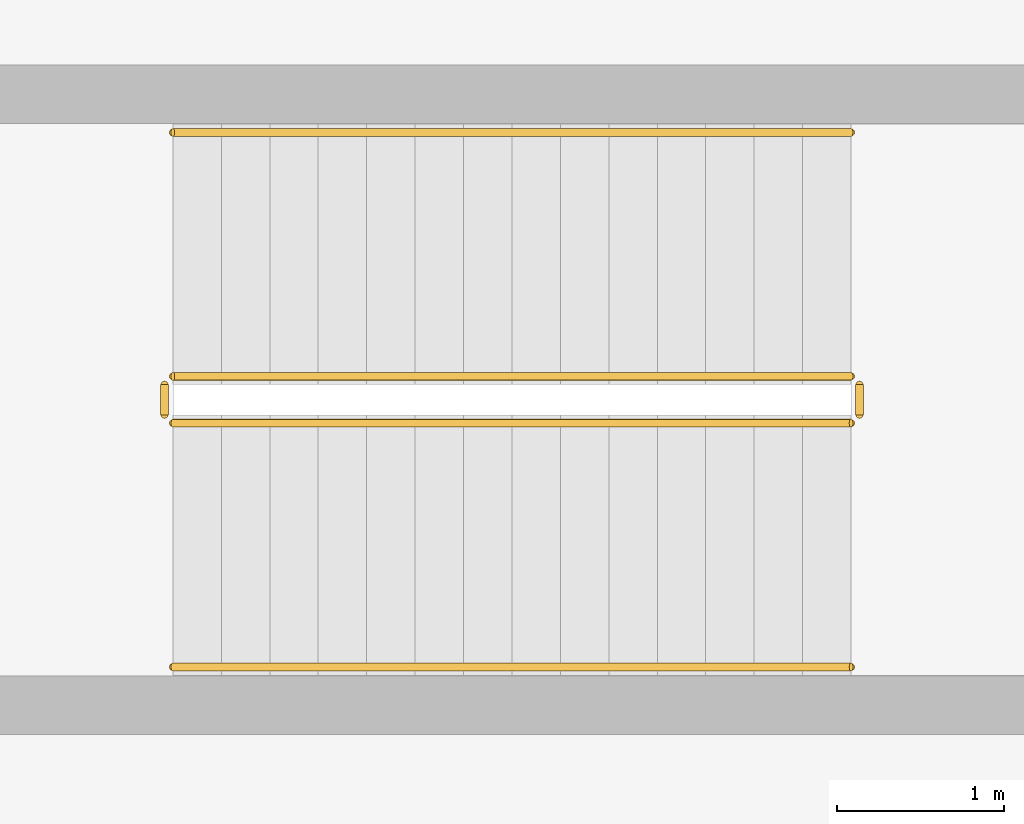
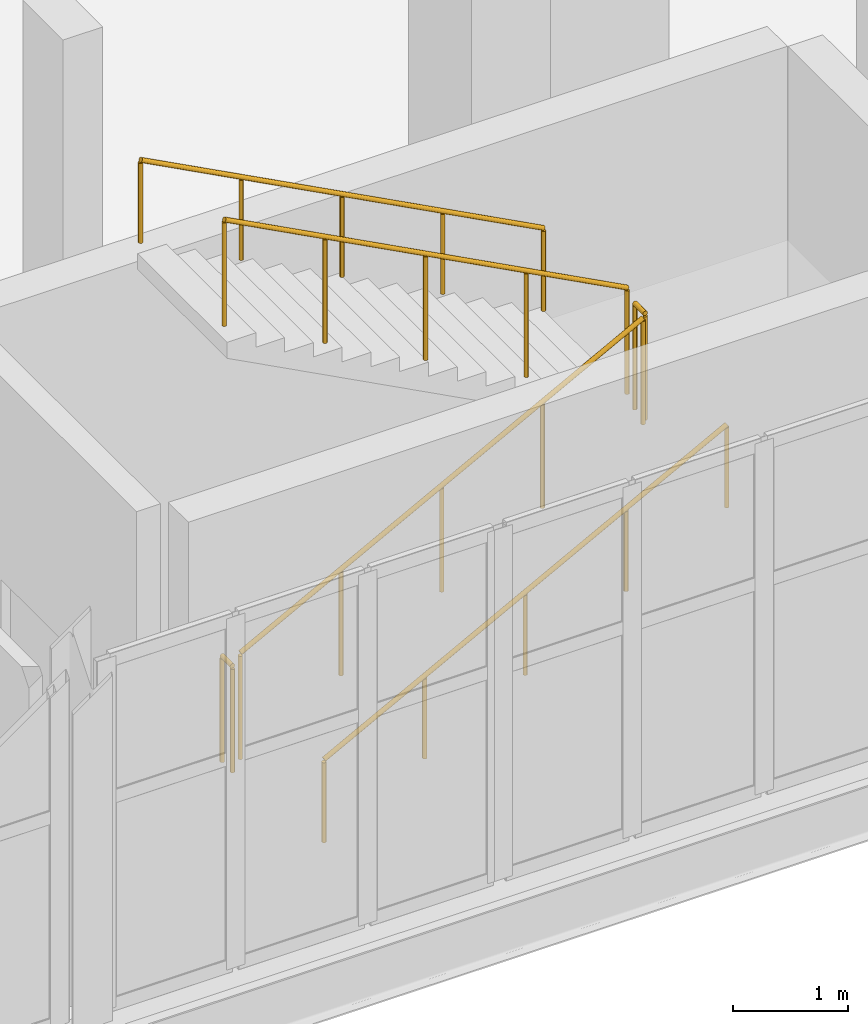
# One storey, part 166 of 172: 6 railings.
"""IFC4 building model written with IfcOpenShell, lengths in metres."""

from ifc_helpers import new_model, si_unit, direction, frame, origin, origin_2d, place, context, subcontext, project, spatial, circle, extrude, material, type_object, element, save


model = new_model("IFC4")

# Units and contexts
model_context = context("Model", 3, precision=1e-05, world=origin(), true_north=direction((0.0, 1.0)))
body_context = subcontext(model_context, "Body", "Model", "MODEL_VIEW")
ifc_project = project(units=[si_unit("LENGTHUNIT", "METRE"), si_unit("AREAUNIT", "SQUARE_METRE"), si_unit("VOLUMEUNIT", "CUBIC_METRE"), si_unit("PLANEANGLEUNIT", "RADIAN"), si_unit("MASSUNIT", "GRAM", prefix="KILO")], contexts=[model_context])

# Site, building, storey
site_placement = place(None, origin())
site = spatial("IfcSite", under=ifc_project, at=site_placement, CompositionType="ELEMENT")
building_placement = place(site_placement, origin())
building = spatial("IfcBuilding", under=site, at=building_placement, Name="Shengluoqiao Park Theatre", CompositionType="ELEMENT")
storey_placement = place(building_placement, frame((0.0, 0.0, 5.39990234375)))
storey = spatial("IfcBuildingStorey", under=building, at=storey_placement, Name="L01", CompositionType="ELEMENT", Elevation=5.39990234375)

# Railings
ifc_material_1 = material(Name="Painted steel", Category="steel")
railing_type_1 = type_object("IfcRailingType", Name="INT-RL-STGRD", PredefinedType="GUARDRAIL", material=ifc_material_1)
railing_1_placement = place(storey_placement, frame((72.64990234375, 70.909912109375, 0.1533203125)))
element("IfcRailing", 1, at=railing_1_placement, inside=storey, type_object=railing_type_1, Name="L01 ST-11 stair guard 1", PredefinedType="GUARDRAIL", context=body_context, shape_type="SweptSolid", body=[
    extrude(circle(Radius=0.02392578125, at=origin_2d()), frame((0.0, 0.0, 1.1259765625), z_axis=(0.884032182968, 0.0, 0.46742603637), x_axis=(0.0, 1.0, 0.0)), (0.0, 0.0, 1.0), 4.5927734375),
    extrude(circle(Radius=0.02099609375, at=origin_2d()), origin(), (0.0, 0.0, 1.0), 1.101806640625),
    extrude(circle(Radius=0.02099609375, at=origin_2d()), frame((1.01513671875, 0.0, 0.53662109375)), (0.0, 0.0, 1.0), 1.101806640625),
    extrude(circle(Radius=0.02099609375, at=origin_2d()), frame((2.030029296875, 0.0, 1.0732421875)), (0.0, 0.0, 1.0), 1.101806640625),
    extrude(circle(Radius=0.02099609375, at=origin_2d()), frame((3.044921875, 0.0, 1.610107421875)), (0.0, 0.0, 1.0), 1.101806640625),
    extrude(circle(Radius=0.02099609375, at=origin_2d()), frame((4.06005859375, 0.0, 2.146728515625)), (0.0, 0.0, 1.0), 1.101806640625),
])
railing_2_placement = place(storey_placement, frame((76.760009765625, 70.9599609375, 2.300048828125)))
element("IfcRailing", 2, at=railing_2_placement, inside=storey, type_object=railing_type_1, Name="L01 ST-11 stair guard 2", PredefinedType="GUARDRAIL", context=body_context, shape_type="SweptSolid", body=[
    extrude(circle(Radius=0.02392578125, at=origin_2d()), frame((0.0, 0.0, 1.1259765625), z_axis=(0.0, 1.0, 0.0), x_axis=(-1.0, 0.0, 0.0)), (0.0, 0.0, 1.0), 0.179931640625),
    extrude(circle(Radius=0.02099609375, at=origin_2d()), origin(), (0.0, 0.0, 1.0), 1.101806640625),
    extrude(circle(Radius=0.02099609375, at=origin_2d()), frame((0.0, 0.179931640625, 0.0)), (0.0, 0.0, 1.0), 1.101806640625),
])
railing_3_placement = place(storey_placement, frame((76.7099609375, 71.18994140625, 2.453369140625)))
element("IfcRailing", 3, at=railing_3_placement, inside=storey, type_object=railing_type_1, Name="L01 ST-11 stair guard 3", PredefinedType="GUARDRAIL", context=body_context, shape_type="SweptSolid", body=[
    extrude(circle(Radius=0.02392578125, at=origin_2d()), frame((0.0, 0.0, 1.1259765625), z_axis=(-0.884032182968, 0.0, 0.46742603637), x_axis=(0.0, -1.0, 0.0)), (0.0, 0.0, 1.0), 4.5927734375),
    extrude(circle(Radius=0.02099609375, at=origin_2d()), origin(), (0.0, 0.0, 1.0), 1.101806640625),
    extrude(circle(Radius=0.02099609375, at=origin_2d()), frame((-1.01513671875, 0.0, 0.53662109375)), (0.0, 0.0, 1.0), 1.101806640625),
    extrude(circle(Radius=0.02099609375, at=origin_2d()), frame((-2.030029296875, 0.0, 1.0732421875)), (0.0, 0.0, 1.0), 1.101806640625),
    extrude(circle(Radius=0.02099609375, at=origin_2d()), frame((-3.044921875, 0.0, 1.610107421875)), (0.0, 0.0, 1.0), 1.101806640625),
    extrude(circle(Radius=0.02099609375, at=origin_2d()), frame((-4.06005859375, 0.0, 2.146728515625)), (0.0, 0.0, 1.0), 1.101806640625),
])
railing_4_placement = place(storey_placement, frame((72.60009765625, 70.9599609375, 0.0)))
element("IfcRailing", 4, at=railing_4_placement, inside=storey, type_object=railing_type_1, Name="L01 ST-11 stair guard 4", PredefinedType="GUARDRAIL", context=body_context, shape_type="SweptSolid", body=[
    extrude(circle(Radius=0.02392578125, at=origin_2d()), frame((0.0, 0.0, 1.1259765625), z_axis=(0.0, 1.0, 0.0), x_axis=(-1.0, 0.0, 0.0)), (0.0, 0.0, 1.0), 0.179931640625),
    extrude(circle(Radius=0.02099609375, at=origin_2d()), origin(), (0.0, 0.0, 1.0), 1.101806640625),
    extrude(circle(Radius=0.02099609375, at=origin_2d()), frame((0.0, 0.179931640625, 0.0)), (0.0, 0.0, 1.0), 1.101806640625),
])
ifc_material_2 = material(Name="Stainless steel 304", Category="steel")
railing_type_2 = type_object("IfcRailingType", Name="INT-RL-STHR", PredefinedType="HANDRAIL", material=ifc_material_2)
railing_5_placement = place(storey_placement, frame((72.64990234375, 69.449951171875, 0.1533203125)))
element("IfcRailing", 5, at=railing_5_placement, inside=storey, type_object=railing_type_2, Name="L01 ST-11 stair handrail 1", PredefinedType="HANDRAIL", context=body_context, shape_type="SweptSolid", body=[
    extrude(circle(Radius=0.02392578125, at=origin_2d()), frame((0.0, 0.0, 0.8759765625), z_axis=(0.884032182968, 0.0, 0.46742603637), x_axis=(0.0, 1.0, 0.0)), (0.0, 0.0, 1.0), 4.5927734375),
    extrude(circle(Radius=0.02099609375, at=origin_2d()), origin(), (0.0, 0.0, 1.0), 0.851806640625),
    extrude(circle(Radius=0.02099609375, at=origin_2d()), frame((1.01513671875, 0.0, 0.53662109375)), (0.0, 0.0, 1.0), 0.851806640625),
    extrude(circle(Radius=0.02099609375, at=origin_2d()), frame((2.030029296875, 0.0, 1.0732421875)), (0.0, 0.0, 1.0), 0.851806640625),
    extrude(circle(Radius=0.02099609375, at=origin_2d()), frame((3.044921875, 0.0, 1.610107421875)), (0.0, 0.0, 1.0), 0.851806640625),
    extrude(circle(Radius=0.02099609375, at=origin_2d()), frame((4.06005859375, 0.0, 2.146728515625)), (0.0, 0.0, 1.0), 0.851806640625),
])
railing_6_placement = place(storey_placement, frame((76.7099609375, 72.64990234375, 2.453369140625)))
element("IfcRailing", 6, at=railing_6_placement, inside=storey, type_object=railing_type_2, Name="L01 ST-11 stair handrail 2", PredefinedType="HANDRAIL", context=body_context, shape_type="SweptSolid", body=[
    extrude(circle(Radius=0.02392578125, at=origin_2d()), frame((0.0, 0.0, 0.8759765625), z_axis=(-0.884032182968, 0.0, 0.46742603637), x_axis=(0.0, -1.0, 0.0)), (0.0, 0.0, 1.0), 4.5927734375),
    extrude(circle(Radius=0.02099609375, at=origin_2d()), origin(), (0.0, 0.0, 1.0), 0.851806640625),
    extrude(circle(Radius=0.02099609375, at=origin_2d()), frame((-1.01513671875, 0.0, 0.53662109375)), (0.0, 0.0, 1.0), 0.851806640625),
    extrude(circle(Radius=0.02099609375, at=origin_2d()), frame((-2.030029296875, 0.0, 1.0732421875)), (0.0, 0.0, 1.0), 0.851806640625),
    extrude(circle(Radius=0.02099609375, at=origin_2d()), frame((-3.044921875, 0.0, 1.610107421875)), (0.0, 0.0, 1.0), 0.851806640625),
    extrude(circle(Radius=0.02099609375, at=origin_2d()), frame((-4.06005859375, 0.0, 2.146728515625)), (0.0, 0.0, 1.0), 0.851806640625),
])

save(model, "model.ifc")
